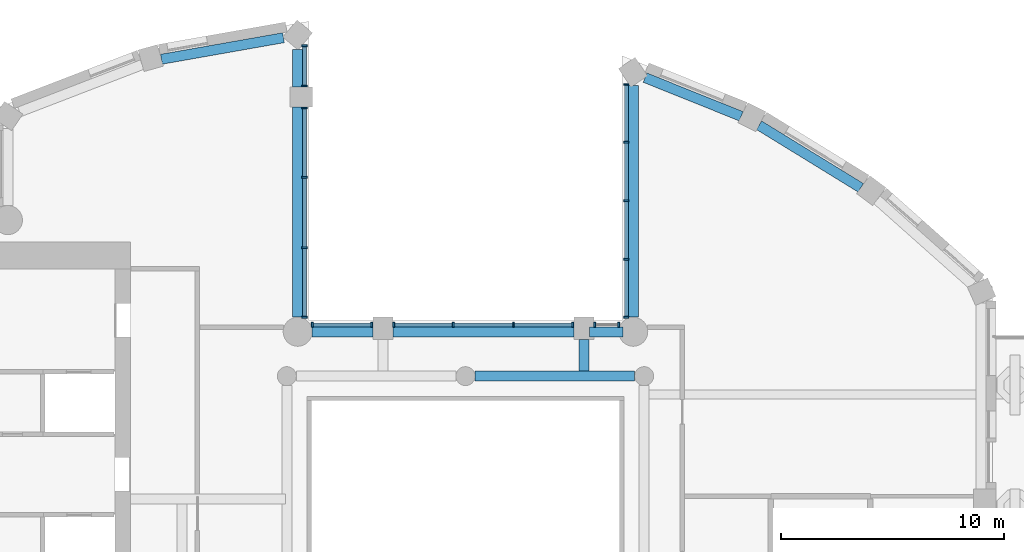
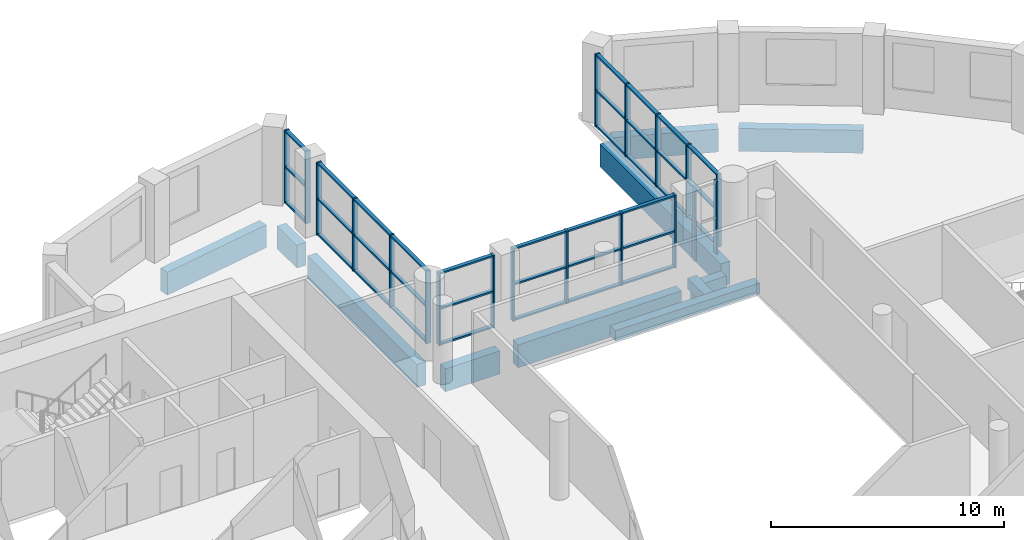
# One storey, part 2 of 14: 55 members, 11 beams, 6 elements without a shape of their own.
"""IFC4 building model written with IfcOpenShell, lengths in metres."""

from ifc_helpers import new_model, si_unit, direction, frame, origin, origin_2d, place, context, subcontext, project, spatial, rectangle, extrude, material, material_profile, profile_set, type_object, element, aggregate, save


model = new_model("IFC4")

# Units and contexts
model_context = context("Model", 3, precision=1e-05, world=origin(), true_north=direction((0.0, 1.0)))
body_context = subcontext(model_context, "Body", "Model", "MODEL_VIEW")
ifc_project = project(units=[si_unit("LENGTHUNIT", "METRE"), si_unit("AREAUNIT", "SQUARE_METRE"), si_unit("VOLUMEUNIT", "CUBIC_METRE"), si_unit("PLANEANGLEUNIT", "RADIAN"), si_unit("MASSUNIT", "GRAM", prefix="KILO")], contexts=[model_context])

# Site, building, storey
site_placement = place(None, origin())
site = spatial("IfcSite", under=ifc_project, at=site_placement, CompositionType="ELEMENT")
building_placement = place(site_placement, origin())
building = spatial("IfcBuilding", under=site, at=building_placement, Name="Cypress Arch Tower", CompositionType="ELEMENT")
storey_placement = place(building_placement, frame((0.0, 0.0, 272.10009765625)))
storey = spatial("IfcBuildingStorey", under=building, at=storey_placement, Name="L61", CompositionType="ELEMENT", Elevation=272.10009765625)

# Beams
ifc_material_1 = material(Name="Concrete C50/60", Category="concrete")
ifc_material_profile_1 = material_profile(ifc_material_1, rectangle(XDim=0.449951171875, YDim=0.550048828125, at=origin_2d()), Name="RC 450x550")
ifc_profile_set_1 = profile_set([ifc_material_profile_1], Name="Concrete C50/60")
beam_type_1 = type_object("IfcBeamType", Name="Floor beam RC 450x550 Concrete C50/60", PredefinedType="BEAM", material=ifc_profile_set_1)
beam_1_placement = place(storey_placement, frame((1.425048828125, 10.0, -0.5751953125), z_axis=(1.0, 0.0, 0.0), x_axis=(0.0, 1.0, 0.0)))
element("IfcBeam", 1, at=beam_1_placement, inside=storey, type_object=beam_type_1, Name="Floor beam L61 RB008", PredefinedType="BEAM", context=body_context, shape_type="SweptSolid", body=[
    extrude(rectangle(XDim=0.449951171875, YDim=0.550048828125, at=origin_2d()), origin(), (0.0, 0.0, 1.0), 7.14990234375),
])
beam_2_placement = place(storey_placement, frame((6.300048828125, 10.22509765625, -0.5751953125), z_axis=(0.0, 1.0, 0.0), x_axis=(-1.0, 0.0, 0.0)))
element("IfcBeam", 2, at=beam_2_placement, inside=storey, type_object=beam_type_1, Name="Floor beam L61 FB013", PredefinedType="BEAM", context=body_context, shape_type="SweptSolid", body=[
    extrude(rectangle(XDim=0.449951171875, YDim=0.550048828125, at=origin_2d()), origin(), (0.0, 0.0, 1.0), 1.4248046875),
])

# Curtain wall, members
ifc_material_2 = material(Name="Anodised aluminium, bronze finish, clear laminated double glazing", Category="aluminium")
curtain_wall_type = type_object("IfcCurtainWallType", Name="Curtain wall CW7 slot glazing", PredefinedType="NOTDEFINED", material=ifc_material_2)
curtain_wall_1_placement = place(storey_placement, origin())
curtain_wall_1 = element("IfcCurtainWall", 3, at=curtain_wall_1_placement, inside=storey, type_object=curtain_wall_type, Name="Curtain wall L61 slot C00.0", PredefinedType="NOTDEFINED")
ifc_material_3 = material(Name="Anodised aluminium, bronze finish", Category="aluminium")
ifc_material_profile_2 = material_profile(ifc_material_3, rectangle(XDim=0.239990234375, YDim=0.0849609375, at=origin_2d()), Name="Mullion 85x240")
ifc_profile_set_2 = profile_set([ifc_material_profile_2], Name="Anodised aluminium, bronze finish")
member_type_1 = type_object("IfcMemberType", Name="Mullion CW7 85x240", PredefinedType="MULLION", material=ifc_profile_set_2)
member_1_placement = place(storey_placement, frame((8.199951171875, 23.060302734375, 0.0), z_axis=(0.0, 0.0, 1.0), x_axis=(1.0, 0.0, 0.0)))
member_1 = element("IfcMember", 4, at=member_1_placement, type_object=member_type_1, Name="CW7 mullion 1", PredefinedType="MULLION", context=body_context, shape_type="SweptSolid", body=[
    extrude(rectangle(XDim=0.239990234375, YDim=0.0849609375, at=origin_2d()), origin(), (0.0, 0.0, 1.0), 3.7998046875),
])
member_2_placement = place(storey_placement, frame((8.199951171875, 20.477294921875, 0.0), z_axis=(0.0, 0.0, 1.0), x_axis=(1.0, 0.0, 0.0)))
member_2 = element("IfcMember", 5, at=member_2_placement, type_object=member_type_1, Name="CW7 mullion 2", PredefinedType="MULLION", context=body_context, shape_type="SweptSolid", body=[
    extrude(rectangle(XDim=0.239990234375, YDim=0.0849609375, at=origin_2d()), origin(), (0.0, 0.0, 1.0), 3.7998046875),
])
member_3_placement = place(storey_placement, frame((8.199951171875, 17.85205078125, 0.0), z_axis=(0.0, 0.0, 1.0), x_axis=(1.0, 0.0, 0.0)))
member_3 = element("IfcMember", 6, at=member_3_placement, type_object=member_type_1, Name="CW7 mullion 3", PredefinedType="MULLION", context=body_context, shape_type="SweptSolid", body=[
    extrude(rectangle(XDim=0.239990234375, YDim=0.0849609375, at=origin_2d()), origin(), (0.0, 0.0, 1.0), 3.7998046875),
])
member_4_placement = place(storey_placement, frame((8.199951171875, 15.226806640625, 0.0), z_axis=(0.0, 0.0, 1.0), x_axis=(1.0, 0.0, 0.0)))
member_4 = element("IfcMember", 7, at=member_4_placement, type_object=member_type_1, Name="CW7 mullion 4", PredefinedType="MULLION", context=body_context, shape_type="SweptSolid", body=[
    extrude(rectangle(XDim=0.239990234375, YDim=0.0849609375, at=origin_2d()), origin(), (0.0, 0.0, 1.0), 3.7998046875),
])
member_5_placement = place(storey_placement, frame((8.199951171875, 12.64404296875, 0.0), z_axis=(0.0, 0.0, 1.0), x_axis=(1.0, 0.0, 0.0)))
member_5 = element("IfcMember", 8, at=member_5_placement, type_object=member_type_1, Name="CW7 mullion 5", PredefinedType="MULLION", context=body_context, shape_type="SweptSolid", body=[
    extrude(rectangle(XDim=0.239990234375, YDim=0.0849609375, at=origin_2d()), origin(), (0.0, 0.0, 1.0), 3.7998046875),
])

curtain_wall_2_placement = place(storey_placement, origin())
curtain_wall_2 = element("IfcCurtainWall", 9, at=curtain_wall_2_placement, inside=storey, type_object=curtain_wall_type, Name="Curtain wall L61 slot C01.0", PredefinedType="NOTDEFINED")
member_6_placement = place(storey_placement, frame((7.85595703125, 12.300048828125, 0.0), z_axis=(0.0, 0.0, 1.0), x_axis=(0.0, -1.0, 0.0)))
member_6 = element("IfcMember", 10, at=member_6_placement, type_object=member_type_1, Name="CW7 mullion 1", PredefinedType="MULLION", context=body_context, shape_type="SweptSolid", body=[
    extrude(rectangle(XDim=0.239990234375, YDim=0.0849609375, at=origin_2d()), origin(), (0.0, 0.0, 1.0), 3.7998046875),
])
member_7_placement = place(storey_placement, frame((6.79248046875, 12.300048828125, 0.0), z_axis=(0.0, 0.0, 1.0), x_axis=(0.0, -1.0, 0.0)))
member_7 = element("IfcMember", 11, at=member_7_placement, type_object=member_type_1, Name="CW7 mullion 2", PredefinedType="MULLION", context=body_context, shape_type="SweptSolid", body=[
    extrude(rectangle(XDim=0.239990234375, YDim=0.0849609375, at=origin_2d()), origin(), (0.0, 0.0, 1.0), 3.7998046875),
])
aggregate(curtain_wall_2, [member_6, member_7])

curtain_wall_3_placement = place(storey_placement, origin())
curtain_wall_3 = element("IfcCurtainWall", 12, at=curtain_wall_3_placement, inside=storey, type_object=curtain_wall_type, Name="Curtain wall L61 slot C01.1", PredefinedType="NOTDEFINED")
member_8_placement = place(storey_placement, frame((5.8076171875, 12.300048828125, 0.0), z_axis=(0.0, 0.0, 1.0), x_axis=(0.0, -1.0, 0.0)))
member_8 = element("IfcMember", 13, at=member_8_placement, type_object=member_type_1, Name="CW7 mullion 1", PredefinedType="MULLION", context=body_context, shape_type="SweptSolid", body=[
    extrude(rectangle(XDim=0.239990234375, YDim=0.0849609375, at=origin_2d()), origin(), (0.0, 0.0, 1.0), 3.7998046875),
])
member_9_placement = place(storey_placement, frame((3.14990234375, 12.300048828125, 0.0), z_axis=(0.0, 0.0, 1.0), x_axis=(0.0, -1.0, 0.0)))
member_9 = element("IfcMember", 14, at=member_9_placement, type_object=member_type_1, Name="CW7 mullion 2", PredefinedType="MULLION", context=body_context, shape_type="SweptSolid", body=[
    extrude(rectangle(XDim=0.239990234375, YDim=0.0849609375, at=origin_2d()), origin(), (0.0, 0.0, 1.0), 3.7998046875),
])
member_10_placement = place(storey_placement, frame((0.449951171875, 12.300048828125, 0.0), z_axis=(0.0, 0.0, 1.0), x_axis=(0.0, -1.0, 0.0)))
member_10 = element("IfcMember", 15, at=member_10_placement, type_object=member_type_1, Name="CW7 mullion 3", PredefinedType="MULLION", context=body_context, shape_type="SweptSolid", body=[
    extrude(rectangle(XDim=0.239990234375, YDim=0.0849609375, at=origin_2d()), origin(), (0.0, 0.0, 1.0), 3.7998046875),
])
member_11_placement = place(storey_placement, frame((-2.20751953125, 12.300048828125, 0.0), z_axis=(0.0, 0.0, 1.0), x_axis=(0.0, -1.0, 0.0)))
member_11 = element("IfcMember", 16, at=member_11_placement, type_object=member_type_1, Name="CW7 mullion 4", PredefinedType="MULLION", context=body_context, shape_type="SweptSolid", body=[
    extrude(rectangle(XDim=0.239990234375, YDim=0.0849609375, at=origin_2d()), origin(), (0.0, 0.0, 1.0), 3.7998046875),
])

curtain_wall_4_placement = place(storey_placement, origin())
curtain_wall_4 = element("IfcCurtainWall", 17, at=curtain_wall_4_placement, inside=storey, type_object=curtain_wall_type, Name="Curtain wall L61 slot C01.2", PredefinedType="NOTDEFINED")
member_12_placement = place(storey_placement, frame((-3.1923828125, 12.300048828125, 0.0), z_axis=(0.0, 0.0, 1.0), x_axis=(0.0, -1.0, 0.0)))
member_12 = element("IfcMember", 18, at=member_12_placement, type_object=member_type_1, Name="CW7 mullion 1", PredefinedType="MULLION", context=body_context, shape_type="SweptSolid", body=[
    extrude(rectangle(XDim=0.239990234375, YDim=0.0849609375, at=origin_2d()), origin(), (0.0, 0.0, 1.0), 3.7998046875),
])
member_13_placement = place(storey_placement, frame((-5.85595703125, 12.300048828125, 0.0), z_axis=(0.0, 0.0, 1.0), x_axis=(0.0, -1.0, 0.0)))
member_13 = element("IfcMember", 19, at=member_13_placement, type_object=member_type_1, Name="CW7 mullion 2", PredefinedType="MULLION", context=body_context, shape_type="SweptSolid", body=[
    extrude(rectangle(XDim=0.239990234375, YDim=0.0849609375, at=origin_2d()), origin(), (0.0, 0.0, 1.0), 3.7998046875),
])

curtain_wall_5_placement = place(storey_placement, origin())
curtain_wall_5 = element("IfcCurtainWall", 20, at=curtain_wall_5_placement, inside=storey, type_object=curtain_wall_type, Name="Curtain wall L61 slot C02.0", PredefinedType="NOTDEFINED")
member_14_placement = place(storey_placement, frame((-6.199951171875, 12.64404296875, 0.0), z_axis=(0.0, 0.0, 1.0), x_axis=(-1.0, 0.0, 0.0)))
member_14 = element("IfcMember", 21, at=member_14_placement, type_object=member_type_1, Name="CW7 mullion 1", PredefinedType="MULLION", context=body_context, shape_type="SweptSolid", body=[
    extrude(rectangle(XDim=0.239990234375, YDim=0.0849609375, at=origin_2d()), origin(), (0.0, 0.0, 1.0), 3.7998046875),
])
member_15_placement = place(storey_placement, frame((-6.199951171875, 15.7509765625, 0.0), z_axis=(0.0, 0.0, 1.0), x_axis=(-1.0, 0.0, 0.0)))
member_15 = element("IfcMember", 22, at=member_15_placement, type_object=member_type_1, Name="CW7 mullion 2", PredefinedType="MULLION", context=body_context, shape_type="SweptSolid", body=[
    extrude(rectangle(XDim=0.239990234375, YDim=0.0849609375, at=origin_2d()), origin(), (0.0, 0.0, 1.0), 3.7998046875),
])
member_16_placement = place(storey_placement, frame((-6.199951171875, 18.900390625, 0.0), z_axis=(0.0, 0.0, 1.0), x_axis=(-1.0, 0.0, 0.0)))
member_16 = element("IfcMember", 23, at=member_16_placement, type_object=member_type_1, Name="CW7 mullion 3", PredefinedType="MULLION", context=body_context, shape_type="SweptSolid", body=[
    extrude(rectangle(XDim=0.239990234375, YDim=0.0849609375, at=origin_2d()), origin(), (0.0, 0.0, 1.0), 3.7998046875),
])
member_17_placement = place(storey_placement, frame((-6.199951171875, 22.007568359375, 0.0), z_axis=(0.0, 0.0, 1.0), x_axis=(-1.0, 0.0, 0.0)))
member_17 = element("IfcMember", 24, at=member_17_placement, type_object=member_type_1, Name="CW7 mullion 4", PredefinedType="MULLION", context=body_context, shape_type="SweptSolid", body=[
    extrude(rectangle(XDim=0.239990234375, YDim=0.0849609375, at=origin_2d()), origin(), (0.0, 0.0, 1.0), 3.7998046875),
])

curtain_wall_6_placement = place(storey_placement, origin())
curtain_wall_6 = element("IfcCurtainWall", 25, at=curtain_wall_6_placement, inside=storey, type_object=curtain_wall_type, Name="Curtain wall L61 slot C02.1", PredefinedType="NOTDEFINED")
member_18_placement = place(storey_placement, frame((-6.199951171875, 22.992431640625, 0.0), z_axis=(0.0, 0.0, 1.0), x_axis=(-1.0, 0.0, 0.0)))
member_18 = element("IfcMember", 26, at=member_18_placement, type_object=member_type_1, Name="CW7 mullion 1", PredefinedType="MULLION", context=body_context, shape_type="SweptSolid", body=[
    extrude(rectangle(XDim=0.239990234375, YDim=0.0849609375, at=origin_2d()), origin(), (0.0, 0.0, 1.0), 3.7998046875),
])
member_19_placement = place(storey_placement, frame((-6.199951171875, 24.789794921875, 0.0), z_axis=(0.0, 0.0, 1.0), x_axis=(-1.0, 0.0, 0.0)))
member_19 = element("IfcMember", 27, at=member_19_placement, type_object=member_type_1, Name="CW7 mullion 2", PredefinedType="MULLION", context=body_context, shape_type="SweptSolid", body=[
    extrude(rectangle(XDim=0.239990234375, YDim=0.0849609375, at=origin_2d()), origin(), (0.0, 0.0, 1.0), 3.7998046875),
])

# Beams
ifc_material_4 = material(Name="Concrete C50/60", Category="concrete")
ifc_material_profile_3 = material_profile(ifc_material_4, rectangle(XDim=0.449951171875, YDim=1.199951171875, at=origin_2d()), Name="RC 450x1200")
ifc_profile_set_3 = profile_set([ifc_material_profile_3], Name="Concrete C50/60")
beam_type_2 = type_object("IfcBeamType", Name="Spandrel beam RC 450x1200 Concrete C50/60", PredefinedType="SPANDREL", material=ifc_profile_set_3)
beam_3_placement = place(storey_placement, frame((8.52490234375, 23.017578125, -1.550048828125), z_axis=(0.0, -1.0, 0.0), x_axis=(1.0, 0.0, 0.0)))
element("IfcBeam", 28, at=beam_3_placement, inside=storey, type_object=beam_type_2, Name="Spandrel beam L61 BC00-0", PredefinedType="SPANDREL", context=body_context, shape_type="SweptSolid", body=[
    extrude(rectangle(XDim=0.449951171875, YDim=1.199951171875, at=origin_2d()), origin(), (0.0, 0.0, 1.0), 10.380126953125),
])
beam_4_placement = place(storey_placement, frame((8.05615234375, 11.97509765625, -1.550048828125), z_axis=(-1.0, 0.0, 0.0), x_axis=(0.0, -1.0, 0.0)))
element("IfcBeam", 29, at=beam_4_placement, inside=storey, type_object=beam_type_2, Name="Spandrel beam L61 BC01-0", PredefinedType="SPANDREL", context=body_context, shape_type="SweptSolid", body=[
    extrude(rectangle(XDim=0.449951171875, YDim=1.199951171875, at=origin_2d()), origin(), (0.0, 0.0, 1.0), 1.5),
])
beam_5_placement = place(storey_placement, frame((5.85009765625, 11.97509765625, -1.550048828125), z_axis=(-1.0, 0.0, 0.0), x_axis=(0.0, -1.0, 0.0)))
element("IfcBeam", 30, at=beam_5_placement, inside=storey, type_object=beam_type_2, Name="Spandrel beam L61 BC01-1", PredefinedType="SPANDREL", context=body_context, shape_type="SweptSolid", body=[
    extrude(rectangle(XDim=0.449951171875, YDim=1.199951171875, at=origin_2d()), origin(), (0.0, 0.0, 1.0), 8.10009765625),
])
beam_6_placement = place(storey_placement, frame((-3.14990234375, 11.97509765625, -1.550048828125), z_axis=(-1.0, 0.0, 0.0), x_axis=(0.0, -1.0, 0.0)))
element("IfcBeam", 31, at=beam_6_placement, inside=storey, type_object=beam_type_2, Name="Spandrel beam L61 BC01-2", PredefinedType="SPANDREL", context=body_context, shape_type="SweptSolid", body=[
    extrude(rectangle(XDim=0.449951171875, YDim=1.199951171875, at=origin_2d()), origin(), (0.0, 0.0, 1.0), 2.712646484375),
])
beam_7_placement = place(storey_placement, frame((-6.52490234375, 12.637451171875, -1.550048828125), z_axis=(0.0, 1.0, 0.0), x_axis=(-1.0, 0.0, 0.0)))
element("IfcBeam", 32, at=beam_7_placement, inside=storey, type_object=beam_type_2, Name="Spandrel beam L61 BC02-0", PredefinedType="SPANDREL", context=body_context, shape_type="SweptSolid", body=[
    extrude(rectangle(XDim=0.449951171875, YDim=1.199951171875, at=origin_2d()), origin(), (0.0, 0.0, 1.0), 9.41259765625),
])
beam_8_placement = place(storey_placement, frame((-6.52490234375, 22.949951171875, -1.550048828125), z_axis=(0.0, 1.0, 0.0), x_axis=(-1.0, 0.0, 0.0)))
element("IfcBeam", 33, at=beam_8_placement, inside=storey, type_object=beam_type_2, Name="Spandrel beam L61 BC02-1", PredefinedType="SPANDREL", context=body_context, shape_type="SweptSolid", body=[
    extrude(rectangle(XDim=0.449951171875, YDim=1.199951171875, at=origin_2d()), origin(), (0.0, 0.0, 1.0), 1.6796875),
])
beam_9_placement = place(storey_placement, frame((-7.14990234375, 25.154052734375, -1.550048828125), z_axis=(-0.984800388539, -0.173689938494, 0.0), x_axis=(0.173689938494, -0.984800388539, 0.0)))
element("IfcBeam", 34, at=beam_9_placement, inside=storey, type_object=beam_type_2, Name="Spandrel beam L61 BC03-0", PredefinedType="SPANDREL", context=body_context, shape_type="SweptSolid", body=[
    extrude(rectangle(XDim=0.449951171875, YDim=1.199951171875, at=origin_2d()), origin(), (0.0, 0.0, 1.0), 5.5478515625),
])
beam_10_placement = place(storey_placement, frame((18.700927734375, 18.43359375, -1.550048828125), z_axis=(-0.851880940975, 0.523735488966, 0.0), x_axis=(-0.523735488966, -0.851880940975, 0.0)))
element("IfcBeam", 35, at=beam_10_placement, inside=storey, type_object=beam_type_2, Name="Spandrel beam L61 BC19-0", PredefinedType="SPANDREL", context=body_context, shape_type="SweptSolid", body=[
    extrude(rectangle(XDim=0.449951171875, YDim=1.199951171875, at=origin_2d()), origin(), (0.0, 0.0, 1.0), 5.344970703125),
])
beam_11_placement = place(storey_placement, frame((13.343994140625, 21.6376953125, -1.550048828125), z_axis=(-0.92793836678, 0.372733668263, 0.0), x_axis=(-0.372733668263, -0.92793836678, 0.0)))
element("IfcBeam", 36, at=beam_11_placement, inside=storey, type_object=beam_type_2, Name="Spandrel beam L61 BC20-0", PredefinedType="SPANDREL", context=body_context, shape_type="SweptSolid", body=[
    extrude(rectangle(XDim=0.449951171875, YDim=1.199951171875, at=origin_2d()), origin(), (0.0, 0.0, 1.0), 4.637451171875),
])

# Member
ifc_material_5 = material(Name="Anodised aluminium, bronze finish", Category="aluminium")
ifc_material_profile_4 = material_profile(ifc_material_5, rectangle(XDim=0.179931640625, YDim=0.0849609375, at=origin_2d()), Name="Transom 85x180")
ifc_profile_set_4 = profile_set([ifc_material_profile_4], Name="Anodised aluminium, bronze finish")
member_type_2 = type_object("IfcMemberType", Name="Transom CW7 85x180", PredefinedType="USERDEFINED", material=ifc_profile_set_4)
member_20_placement = place(storey_placement, frame((8.199951171875, 23.017578125, 0.04248046875), z_axis=(0.0, -1.0, 0.0), x_axis=(1.0, 0.0, 0.0)))
member_20 = element("IfcMember", 37, at=member_20_placement, type_object=member_type_2, Name="CW7 transom 1.1", ObjectType="TRANSOM", PredefinedType="USERDEFINED", context=body_context, shape_type="SweptSolid", body=[
    extrude(rectangle(XDim=0.179931640625, YDim=0.0849609375, at=origin_2d()), origin(), (0.0, 0.0, 1.0), 2.497802734375),
])

member_21_placement = place(storey_placement, frame((8.199951171875, 23.017578125, 1.89990234375), z_axis=(0.0, -1.0, 0.0), x_axis=(1.0, 0.0, 0.0)))
member_21 = element("IfcMember", 38, at=member_21_placement, type_object=member_type_2, Name="CW7 transom 1.2", ObjectType="TRANSOM", PredefinedType="USERDEFINED", context=body_context, shape_type="SweptSolid", body=[
    extrude(rectangle(XDim=0.179931640625, YDim=0.0849609375, at=origin_2d()), origin(), (0.0, 0.0, 1.0), 2.497802734375),
])

member_22_placement = place(storey_placement, frame((8.199951171875, 23.017578125, 3.75732421875), z_axis=(0.0, -1.0, 0.0), x_axis=(1.0, 0.0, 0.0)))
member_22 = element("IfcMember", 39, at=member_22_placement, type_object=member_type_2, Name="CW7 transom 1.3", ObjectType="TRANSOM", PredefinedType="USERDEFINED", context=body_context, shape_type="SweptSolid", body=[
    extrude(rectangle(XDim=0.179931640625, YDim=0.0849609375, at=origin_2d()), origin(), (0.0, 0.0, 1.0), 2.497802734375),
])

member_23_placement = place(storey_placement, frame((8.199951171875, 20.434814453125, 0.04248046875), z_axis=(0.0, -1.0, 0.0), x_axis=(1.0, 0.0, 0.0)))
member_23 = element("IfcMember", 40, at=member_23_placement, type_object=member_type_2, Name="CW7 transom 2.1", ObjectType="TRANSOM", PredefinedType="USERDEFINED", context=body_context, shape_type="SweptSolid", body=[
    extrude(rectangle(XDim=0.179931640625, YDim=0.0849609375, at=origin_2d()), origin(), (0.0, 0.0, 1.0), 2.540283203125),
])

member_24_placement = place(storey_placement, frame((8.199951171875, 20.434814453125, 1.89990234375), z_axis=(0.0, -1.0, 0.0), x_axis=(1.0, 0.0, 0.0)))
member_24 = element("IfcMember", 41, at=member_24_placement, type_object=member_type_2, Name="CW7 transom 2.2", ObjectType="TRANSOM", PredefinedType="USERDEFINED", context=body_context, shape_type="SweptSolid", body=[
    extrude(rectangle(XDim=0.179931640625, YDim=0.0849609375, at=origin_2d()), origin(), (0.0, 0.0, 1.0), 2.540283203125),
])

member_25_placement = place(storey_placement, frame((8.199951171875, 20.434814453125, 3.75732421875), z_axis=(0.0, -1.0, 0.0), x_axis=(1.0, 0.0, 0.0)))
member_25 = element("IfcMember", 42, at=member_25_placement, type_object=member_type_2, Name="CW7 transom 2.3", ObjectType="TRANSOM", PredefinedType="USERDEFINED", context=body_context, shape_type="SweptSolid", body=[
    extrude(rectangle(XDim=0.179931640625, YDim=0.0849609375, at=origin_2d()), origin(), (0.0, 0.0, 1.0), 2.540283203125),
])

member_26_placement = place(storey_placement, frame((8.199951171875, 17.8095703125, 0.04248046875), z_axis=(0.0, -1.0, 0.0), x_axis=(1.0, 0.0, 0.0)))
member_26 = element("IfcMember", 43, at=member_26_placement, type_object=member_type_2, Name="CW7 transom 3.1", ObjectType="TRANSOM", PredefinedType="USERDEFINED", context=body_context, shape_type="SweptSolid", body=[
    extrude(rectangle(XDim=0.179931640625, YDim=0.0849609375, at=origin_2d()), origin(), (0.0, 0.0, 1.0), 2.540283203125),
])

member_27_placement = place(storey_placement, frame((8.199951171875, 17.8095703125, 1.89990234375), z_axis=(0.0, -1.0, 0.0), x_axis=(1.0, 0.0, 0.0)))
member_27 = element("IfcMember", 44, at=member_27_placement, type_object=member_type_2, Name="CW7 transom 3.2", ObjectType="TRANSOM", PredefinedType="USERDEFINED", context=body_context, shape_type="SweptSolid", body=[
    extrude(rectangle(XDim=0.179931640625, YDim=0.0849609375, at=origin_2d()), origin(), (0.0, 0.0, 1.0), 2.540283203125),
])

member_28_placement = place(storey_placement, frame((8.199951171875, 17.8095703125, 3.75732421875), z_axis=(0.0, -1.0, 0.0), x_axis=(1.0, 0.0, 0.0)))
member_28 = element("IfcMember", 45, at=member_28_placement, type_object=member_type_2, Name="CW7 transom 3.3", ObjectType="TRANSOM", PredefinedType="USERDEFINED", context=body_context, shape_type="SweptSolid", body=[
    extrude(rectangle(XDim=0.179931640625, YDim=0.0849609375, at=origin_2d()), origin(), (0.0, 0.0, 1.0), 2.540283203125),
])

member_29_placement = place(storey_placement, frame((8.199951171875, 15.184326171875, 0.04248046875), z_axis=(0.0, -1.0, 0.0), x_axis=(1.0, 0.0, 0.0)))
member_29 = element("IfcMember", 46, at=member_29_placement, type_object=member_type_2, Name="CW7 transom 4.1", ObjectType="TRANSOM", PredefinedType="USERDEFINED", context=body_context, shape_type="SweptSolid", body=[
    extrude(rectangle(XDim=0.179931640625, YDim=0.0849609375, at=origin_2d()), origin(), (0.0, 0.0, 1.0), 2.497802734375),
])

member_30_placement = place(storey_placement, frame((8.199951171875, 15.184326171875, 1.89990234375), z_axis=(0.0, -1.0, 0.0), x_axis=(1.0, 0.0, 0.0)))
member_30 = element("IfcMember", 47, at=member_30_placement, type_object=member_type_2, Name="CW7 transom 4.2", ObjectType="TRANSOM", PredefinedType="USERDEFINED", context=body_context, shape_type="SweptSolid", body=[
    extrude(rectangle(XDim=0.179931640625, YDim=0.0849609375, at=origin_2d()), origin(), (0.0, 0.0, 1.0), 2.497802734375),
])

member_31_placement = place(storey_placement, frame((8.199951171875, 15.184326171875, 3.75732421875), z_axis=(0.0, -1.0, 0.0), x_axis=(1.0, 0.0, 0.0)))
member_31 = element("IfcMember", 48, at=member_31_placement, type_object=member_type_2, Name="CW7 transom 4.3", ObjectType="TRANSOM", PredefinedType="USERDEFINED", context=body_context, shape_type="SweptSolid", body=[
    extrude(rectangle(XDim=0.179931640625, YDim=0.0849609375, at=origin_2d()), origin(), (0.0, 0.0, 1.0), 2.497802734375),
])

aggregate(curtain_wall_1, [member_1, member_2, member_3, member_4, member_5, member_20, member_21, member_22, member_23, member_24, member_25, member_26, member_27, member_28, member_29, member_30, member_31])

member_32_placement = place(storey_placement, frame((5.764892578125, 12.300048828125, 0.04248046875), z_axis=(-1.0, 0.0, 0.0), x_axis=(0.0, -1.0, 0.0)))
member_32 = element("IfcMember", 49, at=member_32_placement, type_object=member_type_2, Name="CW7 transom 1.1", ObjectType="TRANSOM", PredefinedType="USERDEFINED", context=body_context, shape_type="SweptSolid", body=[
    extrude(rectangle(XDim=0.179931640625, YDim=0.0849609375, at=origin_2d()), origin(), (0.0, 0.0, 1.0), 2.572509765625),
])

member_33_placement = place(storey_placement, frame((5.764892578125, 12.300048828125, 1.89990234375), z_axis=(-1.0, 0.0, 0.0), x_axis=(0.0, -1.0, 0.0)))
member_33 = element("IfcMember", 50, at=member_33_placement, type_object=member_type_2, Name="CW7 transom 1.2", ObjectType="TRANSOM", PredefinedType="USERDEFINED", context=body_context, shape_type="SweptSolid", body=[
    extrude(rectangle(XDim=0.179931640625, YDim=0.0849609375, at=origin_2d()), origin(), (0.0, 0.0, 1.0), 2.572509765625),
])

member_34_placement = place(storey_placement, frame((5.764892578125, 12.300048828125, 3.75732421875), z_axis=(-1.0, 0.0, 0.0), x_axis=(0.0, -1.0, 0.0)))
member_34 = element("IfcMember", 51, at=member_34_placement, type_object=member_type_2, Name="CW7 transom 1.3", ObjectType="TRANSOM", PredefinedType="USERDEFINED", context=body_context, shape_type="SweptSolid", body=[
    extrude(rectangle(XDim=0.179931640625, YDim=0.0849609375, at=origin_2d()), origin(), (0.0, 0.0, 1.0), 2.572509765625),
])

member_35_placement = place(storey_placement, frame((3.107421875, 12.300048828125, 0.04248046875), z_axis=(-1.0, 0.0, 0.0), x_axis=(0.0, -1.0, 0.0)))
member_35 = element("IfcMember", 52, at=member_35_placement, type_object=member_type_2, Name="CW7 transom 2.1", ObjectType="TRANSOM", PredefinedType="USERDEFINED", context=body_context, shape_type="SweptSolid", body=[
    extrude(rectangle(XDim=0.179931640625, YDim=0.0849609375, at=origin_2d()), origin(), (0.0, 0.0, 1.0), 2.614990234375),
])

member_36_placement = place(storey_placement, frame((3.107421875, 12.300048828125, 1.89990234375), z_axis=(-1.0, 0.0, 0.0), x_axis=(0.0, -1.0, 0.0)))
member_36 = element("IfcMember", 53, at=member_36_placement, type_object=member_type_2, Name="CW7 transom 2.2", ObjectType="TRANSOM", PredefinedType="USERDEFINED", context=body_context, shape_type="SweptSolid", body=[
    extrude(rectangle(XDim=0.179931640625, YDim=0.0849609375, at=origin_2d()), origin(), (0.0, 0.0, 1.0), 2.614990234375),
])

member_37_placement = place(storey_placement, frame((3.107421875, 12.300048828125, 3.75732421875), z_axis=(-1.0, 0.0, 0.0), x_axis=(0.0, -1.0, 0.0)))
member_37 = element("IfcMember", 54, at=member_37_placement, type_object=member_type_2, Name="CW7 transom 2.3", ObjectType="TRANSOM", PredefinedType="USERDEFINED", context=body_context, shape_type="SweptSolid", body=[
    extrude(rectangle(XDim=0.179931640625, YDim=0.0849609375, at=origin_2d()), origin(), (0.0, 0.0, 1.0), 2.614990234375),
])

member_38_placement = place(storey_placement, frame((0.407470703125, 12.300048828125, 0.04248046875), z_axis=(-1.0, 0.0, 0.0), x_axis=(0.0, -1.0, 0.0)))
member_38 = element("IfcMember", 55, at=member_38_placement, type_object=member_type_2, Name="CW7 transom 3.1", ObjectType="TRANSOM", PredefinedType="USERDEFINED", context=body_context, shape_type="SweptSolid", body=[
    extrude(rectangle(XDim=0.179931640625, YDim=0.0849609375, at=origin_2d()), origin(), (0.0, 0.0, 1.0), 2.572509765625),
])

member_39_placement = place(storey_placement, frame((0.407470703125, 12.300048828125, 1.89990234375), z_axis=(-1.0, 0.0, 0.0), x_axis=(0.0, -1.0, 0.0)))
member_39 = element("IfcMember", 56, at=member_39_placement, type_object=member_type_2, Name="CW7 transom 3.2", ObjectType="TRANSOM", PredefinedType="USERDEFINED", context=body_context, shape_type="SweptSolid", body=[
    extrude(rectangle(XDim=0.179931640625, YDim=0.0849609375, at=origin_2d()), origin(), (0.0, 0.0, 1.0), 2.572509765625),
])

member_40_placement = place(storey_placement, frame((0.407470703125, 12.300048828125, 3.75732421875), z_axis=(-1.0, 0.0, 0.0), x_axis=(0.0, -1.0, 0.0)))
member_40 = element("IfcMember", 57, at=member_40_placement, type_object=member_type_2, Name="CW7 transom 3.3", ObjectType="TRANSOM", PredefinedType="USERDEFINED", context=body_context, shape_type="SweptSolid", body=[
    extrude(rectangle(XDim=0.179931640625, YDim=0.0849609375, at=origin_2d()), origin(), (0.0, 0.0, 1.0), 2.572509765625),
])

aggregate(curtain_wall_3, [member_8, member_9, member_10, member_11, member_32, member_33, member_34, member_35, member_36, member_37, member_38, member_39, member_40])

member_41_placement = place(storey_placement, frame((-3.235107421875, 12.300048828125, 0.04248046875), z_axis=(-1.0, 0.0, 0.0), x_axis=(0.0, -1.0, 0.0)))
member_41 = element("IfcMember", 58, at=member_41_placement, type_object=member_type_2, Name="CW7 transom 1.1", ObjectType="TRANSOM", PredefinedType="USERDEFINED", context=body_context, shape_type="SweptSolid", body=[
    extrude(rectangle(XDim=0.179931640625, YDim=0.0849609375, at=origin_2d()), origin(), (0.0, 0.0, 1.0), 2.578369140625),
])

member_42_placement = place(storey_placement, frame((-3.235107421875, 12.300048828125, 1.89990234375), z_axis=(-1.0, 0.0, 0.0), x_axis=(0.0, -1.0, 0.0)))
member_42 = element("IfcMember", 59, at=member_42_placement, type_object=member_type_2, Name="CW7 transom 1.2", ObjectType="TRANSOM", PredefinedType="USERDEFINED", context=body_context, shape_type="SweptSolid", body=[
    extrude(rectangle(XDim=0.179931640625, YDim=0.0849609375, at=origin_2d()), origin(), (0.0, 0.0, 1.0), 2.578369140625),
])

member_43_placement = place(storey_placement, frame((-3.235107421875, 12.300048828125, 3.75732421875), z_axis=(-1.0, 0.0, 0.0), x_axis=(0.0, -1.0, 0.0)))
member_43 = element("IfcMember", 60, at=member_43_placement, type_object=member_type_2, Name="CW7 transom 1.3", ObjectType="TRANSOM", PredefinedType="USERDEFINED", context=body_context, shape_type="SweptSolid", body=[
    extrude(rectangle(XDim=0.179931640625, YDim=0.0849609375, at=origin_2d()), origin(), (0.0, 0.0, 1.0), 2.578369140625),
])

aggregate(curtain_wall_4, [member_12, member_13, member_41, member_42, member_43])

member_44_placement = place(storey_placement, frame((-6.199951171875, 12.6865234375, 0.04248046875), z_axis=(0.0, 1.0, 0.0), x_axis=(-1.0, 0.0, 0.0)))
member_44 = element("IfcMember", 61, at=member_44_placement, type_object=member_type_2, Name="CW7 transom 1.1", ObjectType="TRANSOM", PredefinedType="USERDEFINED", context=body_context, shape_type="SweptSolid", body=[
    extrude(rectangle(XDim=0.179931640625, YDim=0.0849609375, at=origin_2d()), origin(), (0.0, 0.0, 1.0), 3.02197265625),
])

member_45_placement = place(storey_placement, frame((-6.199951171875, 12.6865234375, 1.89990234375), z_axis=(0.0, 1.0, 0.0), x_axis=(-1.0, 0.0, 0.0)))
member_45 = element("IfcMember", 62, at=member_45_placement, type_object=member_type_2, Name="CW7 transom 1.2", ObjectType="TRANSOM", PredefinedType="USERDEFINED", context=body_context, shape_type="SweptSolid", body=[
    extrude(rectangle(XDim=0.179931640625, YDim=0.0849609375, at=origin_2d()), origin(), (0.0, 0.0, 1.0), 3.02197265625),
])

member_46_placement = place(storey_placement, frame((-6.199951171875, 12.6865234375, 3.75732421875), z_axis=(0.0, 1.0, 0.0), x_axis=(-1.0, 0.0, 0.0)))
member_46 = element("IfcMember", 63, at=member_46_placement, type_object=member_type_2, Name="CW7 transom 1.3", ObjectType="TRANSOM", PredefinedType="USERDEFINED", context=body_context, shape_type="SweptSolid", body=[
    extrude(rectangle(XDim=0.179931640625, YDim=0.0849609375, at=origin_2d()), origin(), (0.0, 0.0, 1.0), 3.02197265625),
])

member_47_placement = place(storey_placement, frame((-6.199951171875, 15.79345703125, 0.04248046875), z_axis=(0.0, 1.0, 0.0), x_axis=(-1.0, 0.0, 0.0)))
member_47 = element("IfcMember", 64, at=member_47_placement, type_object=member_type_2, Name="CW7 transom 2.1", ObjectType="TRANSOM", PredefinedType="USERDEFINED", context=body_context, shape_type="SweptSolid", body=[
    extrude(rectangle(XDim=0.179931640625, YDim=0.0849609375, at=origin_2d()), origin(), (0.0, 0.0, 1.0), 3.064453125),
])

member_48_placement = place(storey_placement, frame((-6.199951171875, 15.79345703125, 1.89990234375), z_axis=(0.0, 1.0, 0.0), x_axis=(-1.0, 0.0, 0.0)))
member_48 = element("IfcMember", 65, at=member_48_placement, type_object=member_type_2, Name="CW7 transom 2.2", ObjectType="TRANSOM", PredefinedType="USERDEFINED", context=body_context, shape_type="SweptSolid", body=[
    extrude(rectangle(XDim=0.179931640625, YDim=0.0849609375, at=origin_2d()), origin(), (0.0, 0.0, 1.0), 3.064453125),
])

member_49_placement = place(storey_placement, frame((-6.199951171875, 15.79345703125, 3.75732421875), z_axis=(0.0, 1.0, 0.0), x_axis=(-1.0, 0.0, 0.0)))
member_49 = element("IfcMember", 66, at=member_49_placement, type_object=member_type_2, Name="CW7 transom 2.3", ObjectType="TRANSOM", PredefinedType="USERDEFINED", context=body_context, shape_type="SweptSolid", body=[
    extrude(rectangle(XDim=0.179931640625, YDim=0.0849609375, at=origin_2d()), origin(), (0.0, 0.0, 1.0), 3.064453125),
])

member_50_placement = place(storey_placement, frame((-6.199951171875, 18.943115234375, 0.04248046875), z_axis=(0.0, 1.0, 0.0), x_axis=(-1.0, 0.0, 0.0)))
member_50 = element("IfcMember", 67, at=member_50_placement, type_object=member_type_2, Name="CW7 transom 3.1", ObjectType="TRANSOM", PredefinedType="USERDEFINED", context=body_context, shape_type="SweptSolid", body=[
    extrude(rectangle(XDim=0.179931640625, YDim=0.0849609375, at=origin_2d()), origin(), (0.0, 0.0, 1.0), 3.02197265625),
])

member_51_placement = place(storey_placement, frame((-6.199951171875, 18.943115234375, 1.89990234375), z_axis=(0.0, 1.0, 0.0), x_axis=(-1.0, 0.0, 0.0)))
member_51 = element("IfcMember", 68, at=member_51_placement, type_object=member_type_2, Name="CW7 transom 3.2", ObjectType="TRANSOM", PredefinedType="USERDEFINED", context=body_context, shape_type="SweptSolid", body=[
    extrude(rectangle(XDim=0.179931640625, YDim=0.0849609375, at=origin_2d()), origin(), (0.0, 0.0, 1.0), 3.02197265625),
])

member_52_placement = place(storey_placement, frame((-6.199951171875, 18.943115234375, 3.75732421875), z_axis=(0.0, 1.0, 0.0), x_axis=(-1.0, 0.0, 0.0)))
member_52 = element("IfcMember", 69, at=member_52_placement, type_object=member_type_2, Name="CW7 transom 3.3", ObjectType="TRANSOM", PredefinedType="USERDEFINED", context=body_context, shape_type="SweptSolid", body=[
    extrude(rectangle(XDim=0.179931640625, YDim=0.0849609375, at=origin_2d()), origin(), (0.0, 0.0, 1.0), 3.02197265625),
])

aggregate(curtain_wall_5, [member_14, member_15, member_16, member_17, member_44, member_45, member_46, member_47, member_48, member_49, member_50, member_51, member_52])

member_53_placement = place(storey_placement, frame((-6.199951171875, 23.034912109375, 0.04248046875), z_axis=(0.0, 1.0, 0.0), x_axis=(-1.0, 0.0, 0.0)))
member_53 = element("IfcMember", 70, at=member_53_placement, type_object=member_type_2, Name="CW7 transom 1.1", ObjectType="TRANSOM", PredefinedType="USERDEFINED", context=body_context, shape_type="SweptSolid", body=[
    extrude(rectangle(XDim=0.179931640625, YDim=0.0849609375, at=origin_2d()), origin(), (0.0, 0.0, 1.0), 1.71240234375),
])

member_54_placement = place(storey_placement, frame((-6.199951171875, 23.034912109375, 1.89990234375), z_axis=(0.0, 1.0, 0.0), x_axis=(-1.0, 0.0, 0.0)))
member_54 = element("IfcMember", 71, at=member_54_placement, type_object=member_type_2, Name="CW7 transom 1.2", ObjectType="TRANSOM", PredefinedType="USERDEFINED", context=body_context, shape_type="SweptSolid", body=[
    extrude(rectangle(XDim=0.179931640625, YDim=0.0849609375, at=origin_2d()), origin(), (0.0, 0.0, 1.0), 1.71240234375),
])

member_55_placement = place(storey_placement, frame((-6.199951171875, 23.034912109375, 3.75732421875), z_axis=(0.0, 1.0, 0.0), x_axis=(-1.0, 0.0, 0.0)))
member_55 = element("IfcMember", 72, at=member_55_placement, type_object=member_type_2, Name="CW7 transom 1.3", ObjectType="TRANSOM", PredefinedType="USERDEFINED", context=body_context, shape_type="SweptSolid", body=[
    extrude(rectangle(XDim=0.179931640625, YDim=0.0849609375, at=origin_2d()), origin(), (0.0, 0.0, 1.0), 1.71240234375),
])

aggregate(curtain_wall_6, [member_18, member_19, member_53, member_54, member_55])

save(model, "model.ifc")
